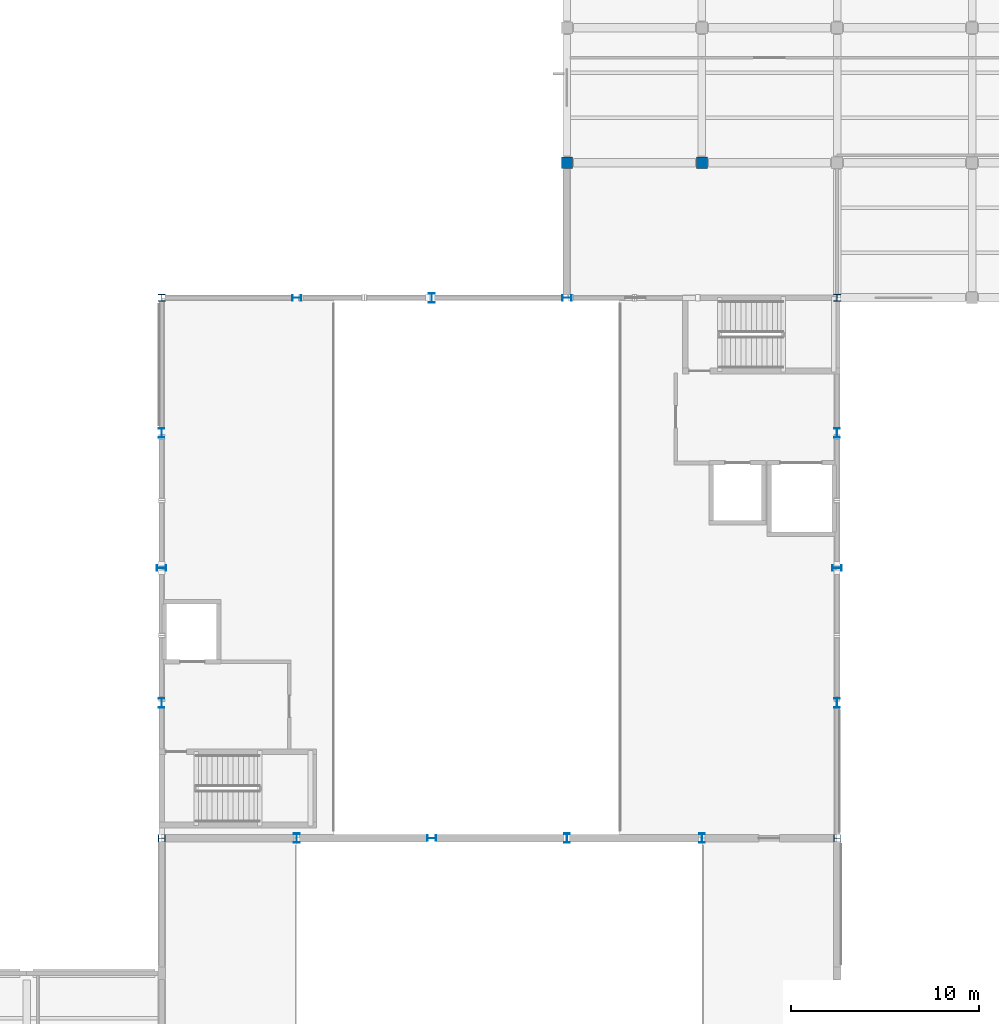
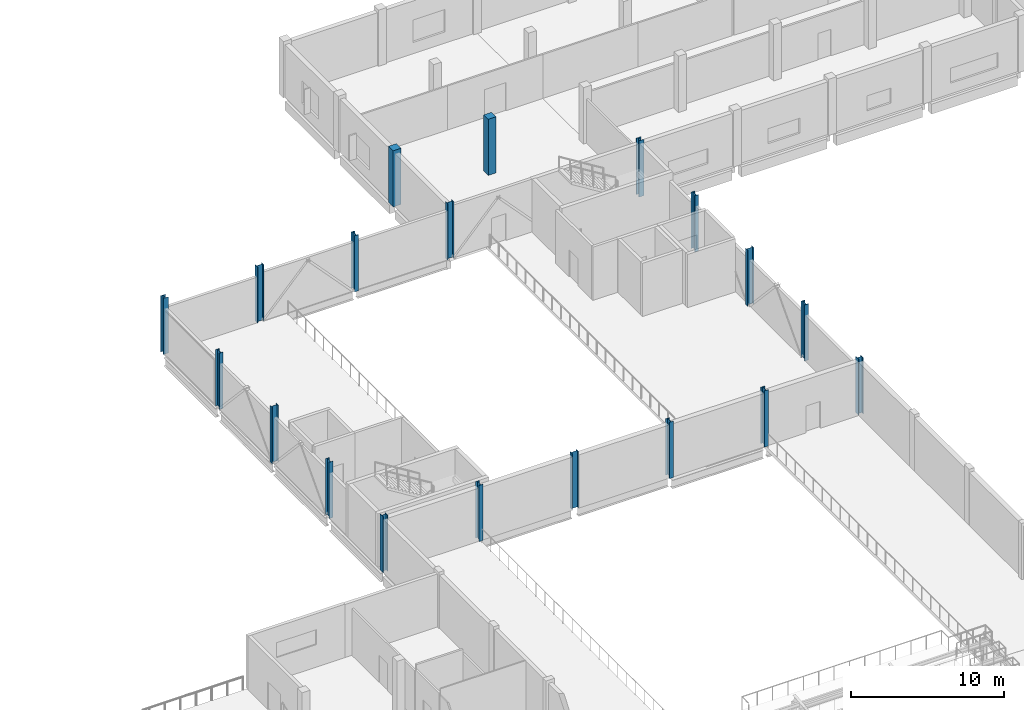
# One storey, part 4 of 105: 19 columns.
"""IFC4 building model written with IfcOpenShell, lengths in metres."""

from ifc_helpers import new_model, si_unit, direction, frame, origin, origin_2d, place, context, subcontext, project, spatial, rectangle, i_section, extrude, material, material_profile, profile_set, type_object, element, save


model = new_model("IFC4")

# Units and contexts
model_context = context("Model", 3, precision=1e-05, world=origin(), true_north=direction((0.0, 1.0)))
body_context = subcontext(model_context, "Body", "Model", "MODEL_VIEW")
ifc_project = project(units=[si_unit("LENGTHUNIT", "METRE"), si_unit("AREAUNIT", "SQUARE_METRE"), si_unit("VOLUMEUNIT", "CUBIC_METRE"), si_unit("PLANEANGLEUNIT", "RADIAN"), si_unit("MASSUNIT", "GRAM", prefix="KILO"), si_unit("THERMODYNAMICTEMPERATUREUNIT", "KELVIN"), si_unit("POWERUNIT", "WATT")], contexts=[model_context])

# Site, building, storey
site_placement = place(None, origin())
site = spatial("IfcSite", under=ifc_project, at=site_placement, CompositionType="ELEMENT")
building_placement = place(site_placement, origin())
building = spatial("IfcBuilding", under=site, at=building_placement, Name="Kaldorven Railside Theatre", CompositionType="ELEMENT")
storey_placement = place(building_placement, frame((0.0, 0.0, 9.89990234375)))
storey = spatial("IfcBuildingStorey", under=building, at=storey_placement, Name="L02", CompositionType="ELEMENT", Elevation=9.89990234375)

# Columns
ifc_material_1 = material(Name="Steel S355", Category="steel")
ifc_material_profile_1 = material_profile(ifc_material_1, i_section(OverallWidth=0.300048828125, OverallDepth=0.5, WebThickness=0.014404296875, FlangeThickness=0.028076171875, at=origin_2d()), Name="HEB 500")
ifc_profile_set_1 = profile_set([ifc_material_profile_1], Name="Steel S355")
column_type_1 = type_object("IfcColumnType", Name="COL-HEB500", PredefinedType="COLUMN", material=ifc_profile_set_1)
for number, where, z_axis, x_axis, name in (
    (1, (94.39990234375, 84.0, 0.0), (0.0, 0.0, 1.0), (1.0, 0.0, 0.0), "L02 Column CG-L02-094-084"),
    (2, (101.60009765625, 84.0, 0.0), (0.0, 0.0, 1.0), (0.0, 1.0, 0.0), "L02 Column CG-L02-101-084"),
    (3, (108.800048828125, 84.0, 0.0), (0.0, 0.0, 1.0), (1.0, 0.0, 0.0), "L02 Column CG-L02-108-084"),
    (4, (116.0, 84.0, 0.0), (0.0, 0.0, 1.0), (1.0, 0.0, 0.0), "L02 Column CG-L02-116-084"),
    (5, (87.199951171875, 91.199951171875, 0.0), (0.0, 0.0, 1.0), (1.0, 0.0, 0.0), "L02 Column CG-L02-087-091"),
    (6, (123.199951171875, 91.199951171875, 0.0), (0.0, 0.0, 1.0), (1.0, 0.0, 0.0), "L02 Column CG-L02-123-091"),
    (7, (87.199951171875, 98.39990234375, 0.0), (0.0, 0.0, 1.0), (0.0, 1.0, 0.0), "L02 Column CG-L02-087-098"),
    (8, (123.199951171875, 98.39990234375, 0.0), (0.0, 0.0, 1.0), (0.0, 1.0, 0.0), "L02 Column CG-L02-123-098"),
    (9, (87.199951171875, 105.60009765625, 0.0), (0.0, 0.0, 1.0), (1.0, 0.0, 0.0), "L02 Column CG-L02-087-105"),
    (10, (123.199951171875, 105.60009765625, 0.0), (0.0, 0.0, 1.0), (1.0, 0.0, 0.0), "L02 Column CG-L02-123-105"),
    (11, (94.39990234375, 112.800048828125, 0.0), (0.0, 0.0, 1.0), (0.0, 1.0, 0.0), "L02 Column CG-L02-094-112"),
    (12, (101.60009765625, 112.800048828125, 0.0), (0.0, 0.0, 1.0), (1.0, 0.0, 0.0), "L02 Column CG-L02-101-112"),
    (13, (108.800048828125, 112.800048828125, 0.0), (0.0, 0.0, 1.0), (0.0, 1.0, 0.0), "L02 Column CG-L02-108-112"),
):
    element("IfcColumn", number, at=place(storey_placement, frame(where, z_axis=z_axis, x_axis=x_axis)), inside=storey, type_object=column_type_1, Name=name, PredefinedType="COLUMN", context=body_context, shape_type="SweptSolid", body=[
        extrude(i_section(OverallWidth=0.300048828125, OverallDepth=0.5, WebThickness=0.014404296875, FlangeThickness=0.028076171875, at=origin_2d()), origin(), (0.0, 0.0, 1.0), 4.5),
    ])
ifc_material_2 = material(Name="Concrete C40/50", Category="concrete")
ifc_material_profile_2 = material_profile(ifc_material_2, rectangle(XDim=0.60009765625, YDim=0.60009765625, at=origin_2d()), Name="RC 600x600")
ifc_profile_set_2 = profile_set([ifc_material_profile_2], Name="Concrete C40/50")
column_type_2 = type_object("IfcColumnType", Name="COL-RC600", PredefinedType="COLUMN", material=ifc_profile_set_2)
for number, where, z_axis, x_axis, name in (
    (14, (108.800048828125, 120.0, 0.0), (0.0, 0.0, 1.0), (1.0, 0.0, 0.0), "L02 Column CG-L02-108-120"),
    (15, (116.0, 120.0, 0.0), (0.0, 0.0, 1.0), (1.0, 0.0, 0.0), "L02 Column CG-L02-116-120"),
):
    element("IfcColumn", number, at=place(storey_placement, frame(where, z_axis=z_axis, x_axis=x_axis)), inside=storey, type_object=column_type_2, Name=name, PredefinedType="COLUMN", context=body_context, shape_type="SweptSolid", body=[
        extrude(rectangle(XDim=0.60009765625, YDim=0.60009765625, at=origin_2d()), origin(), (0.0, 0.0, 1.0), 4.5),
    ])
ifc_material_profile_3 = material_profile(ifc_material_1, i_section(OverallWidth=0.37255859375, OverallDepth=0.3681640625, WebThickness=0.014404296875, FlangeThickness=0.023681640625, at=origin_2d()), Name="UC 356x368x177")
ifc_profile_set_3 = profile_set([ifc_material_profile_3], Name="Steel S355")
column_type_3 = type_object("IfcColumnType", Name="COL-UC356", PredefinedType="COLUMN", material=ifc_profile_set_3)
for number, where, z_axis, x_axis, name in (
    (16, (87.199951171875, 84.0, 0.0), (0.0, 0.0, 1.0), (0.0, 1.0, 0.0), "L02 Column CG-L02-087-084"),
    (17, (123.199951171875, 84.0, 0.0), (0.0, 0.0, 1.0), (0.0, 1.0, 0.0), "L02 Column CG-L02-123-084"),
    (18, (87.199951171875, 112.800048828125, 0.0), (0.0, 0.0, 1.0), (1.0, 0.0, 0.0), "L02 Column CG-L02-087-112"),
    (19, (123.199951171875, 112.800048828125, 0.0), (0.0, 0.0, 1.0), (1.0, 0.0, 0.0), "L02 Column CG-L02-123-112"),
):
    element("IfcColumn", number, at=place(storey_placement, frame(where, z_axis=z_axis, x_axis=x_axis)), inside=storey, type_object=column_type_3, Name=name, PredefinedType="COLUMN", context=body_context, shape_type="SweptSolid", body=[
        extrude(i_section(OverallWidth=0.37255859375, OverallDepth=0.3681640625, WebThickness=0.014404296875, FlangeThickness=0.023681640625, at=origin_2d()), origin(), (0.0, 0.0, 1.0), 4.5),
    ])

save(model, "model.ifc")
